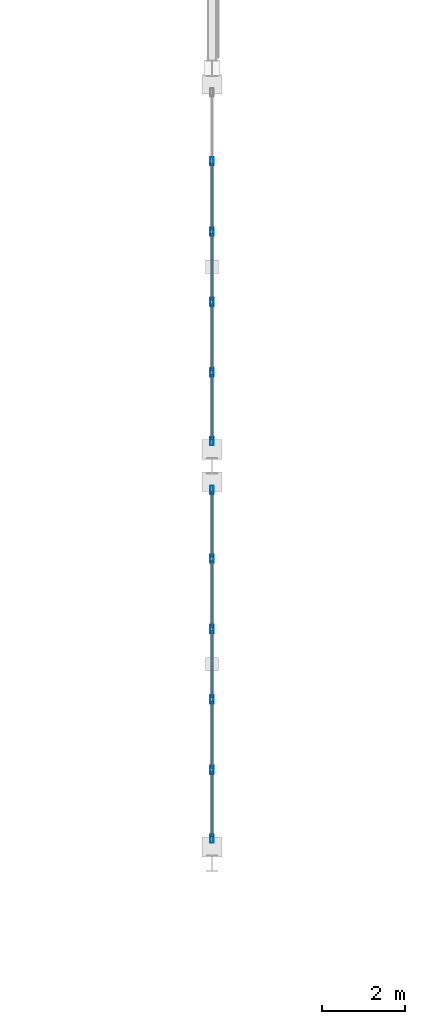
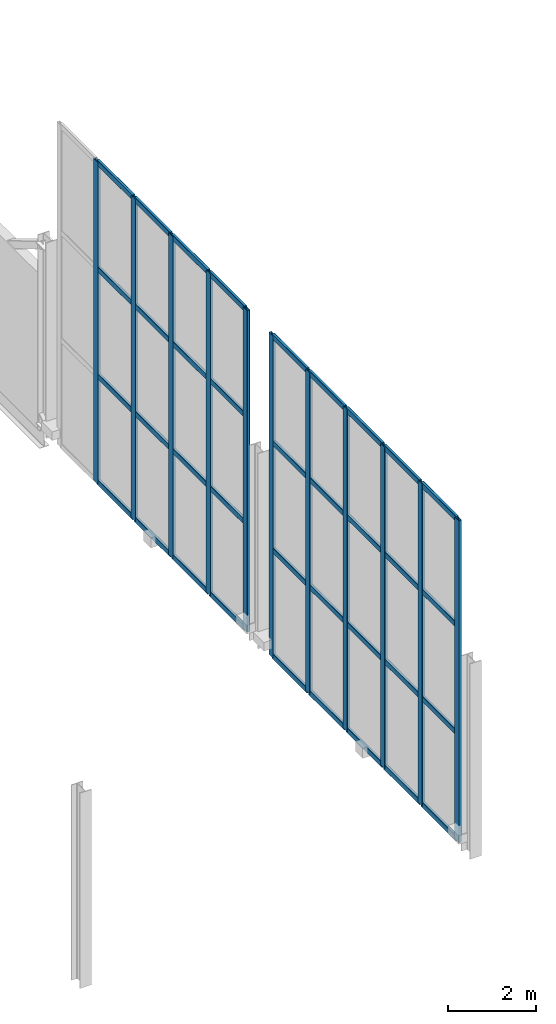
# One storey, part 81 of 175: 47 members, 2 elements without a shape of their own.
"""IFC4 building model written with IfcOpenShell, lengths in metres."""

from ifc_helpers import new_model, si_unit, direction, frame, origin, origin_2d, place, context, subcontext, project, spatial, hollow_rectangle, extrude, material, material_profile, profile_set, type_object, element, aggregate, save


model = new_model("IFC4")

# Units and contexts
model_context = context("Model", 3, precision=1e-05, world=origin(), true_north=direction((0.0, 1.0)))
body_context = subcontext(model_context, "Body", "Model", "MODEL_VIEW")
ifc_project = project(units=[si_unit("LENGTHUNIT", "METRE"), si_unit("AREAUNIT", "SQUARE_METRE"), si_unit("VOLUMEUNIT", "CUBIC_METRE"), si_unit("PLANEANGLEUNIT", "RADIAN"), si_unit("MASSUNIT", "GRAM", prefix="KILO")], contexts=[model_context])

# Site, building, storey
site_placement = place(None, origin())
site = spatial("IfcSite", under=ifc_project, at=site_placement, CompositionType="ELEMENT")
building_placement = place(site_placement, origin())
building = spatial("IfcBuilding", under=site, at=building_placement, Name="Brelvane Convention Centre", CompositionType="ELEMENT")
storey_placement = place(building_placement, frame((0.0, 0.0, 5.39990234375)))
storey = spatial("IfcBuildingStorey", under=building, at=storey_placement, Name="L01", CompositionType="ELEMENT", Elevation=5.39990234375)

# Curtain wall, members
ifc_material_1 = material(Name="Anodised Aluminium Alloy 6063-T6", Category="aluminium")
curtain_wall_type = type_object("IfcCurtainWallType", Name="Curtain Wall CW-BALL", PredefinedType="USERDEFINED", material=ifc_material_1)
curtain_wall_1_placement = place(storey_placement, origin())
curtain_wall_1 = element("IfcCurtainWall", 1, at=curtain_wall_1_placement, inside=storey, type_object=curtain_wall_type, Name="Curtain Wall CW-BALL L01-V3E-CW-L01-1", ObjectType="UNITISED", PredefinedType="USERDEFINED")
ifc_material_2 = material(Name="Anodised Aluminium Alloy 6063-T6", Category="aluminium")
ifc_material_profile_1 = material_profile(ifc_material_2, hollow_rectangle(XDim=0.074951171875, YDim=0.199951171875, WallThickness=0.0048828125, InnerFilletRadius=0.0048828125, OuterFilletRadius=0.010009765625, at=origin_2d()), Name="ALU-M 200x75x5.0")
ifc_profile_set_1 = profile_set([ifc_material_profile_1], Name="Anodised Aluminium Alloy 6063-T6")
member_type_1 = type_object("IfcMemberType", Name="Curtain Mullion CW-M2", PredefinedType="MULLION", material=ifc_profile_set_1)
member_1_placement = place(storey_placement, frame((224.39990234375, 100.1875, 0.0), z_axis=(0.0, 0.0, 1.0), x_axis=(-1.0, 0.0, 0.0)))
member_1 = element("IfcMember", 2, at=member_1_placement, type_object=member_type_1, Name="CW-BALL mullion 1", PredefinedType="MULLION", context=body_context, shape_type="SweptSolid", body=[
    extrude(hollow_rectangle(XDim=0.074951171875, YDim=0.199951171875, WallThickness=0.0048828125, InnerFilletRadius=0.0048828125, OuterFilletRadius=0.010009765625, at=origin_2d()), origin(), (0.0, 0.0, 1.0), 8.900146484375),
])
member_2_placement = place(storey_placement, frame((224.39990234375, 101.85009765625, 0.0), z_axis=(0.0, 0.0, 1.0), x_axis=(-1.0, 0.0, 0.0)))
member_2 = element("IfcMember", 3, at=member_2_placement, type_object=member_type_1, Name="CW-BALL mullion 2", PredefinedType="MULLION", context=body_context, shape_type="SweptSolid", body=[
    extrude(hollow_rectangle(XDim=0.074951171875, YDim=0.199951171875, WallThickness=0.0048828125, InnerFilletRadius=0.0048828125, OuterFilletRadius=0.010009765625, at=origin_2d()), origin(), (0.0, 0.0, 1.0), 8.900146484375),
])
member_3_placement = place(storey_placement, frame((224.39990234375, 103.550048828125, 0.0), z_axis=(0.0, 0.0, 1.0), x_axis=(-1.0, 0.0, 0.0)))
member_3 = element("IfcMember", 4, at=member_3_placement, type_object=member_type_1, Name="CW-BALL mullion 3", PredefinedType="MULLION", context=body_context, shape_type="SweptSolid", body=[
    extrude(hollow_rectangle(XDim=0.074951171875, YDim=0.199951171875, WallThickness=0.0048828125, InnerFilletRadius=0.0048828125, OuterFilletRadius=0.010009765625, at=origin_2d()), origin(), (0.0, 0.0, 1.0), 8.900146484375),
])
member_4_placement = place(storey_placement, frame((224.39990234375, 105.25, 0.0), z_axis=(0.0, 0.0, 1.0), x_axis=(-1.0, 0.0, 0.0)))
member_4 = element("IfcMember", 5, at=member_4_placement, type_object=member_type_1, Name="CW-BALL mullion 4", PredefinedType="MULLION", context=body_context, shape_type="SweptSolid", body=[
    extrude(hollow_rectangle(XDim=0.074951171875, YDim=0.199951171875, WallThickness=0.0048828125, InnerFilletRadius=0.0048828125, OuterFilletRadius=0.010009765625, at=origin_2d()), origin(), (0.0, 0.0, 1.0), 8.900146484375),
])
member_5_placement = place(storey_placement, frame((224.39990234375, 106.949951171875, 0.0), z_axis=(0.0, 0.0, 1.0), x_axis=(-1.0, 0.0, 0.0)))
member_5 = element("IfcMember", 6, at=member_5_placement, type_object=member_type_1, Name="CW-BALL mullion 5", PredefinedType="MULLION", context=body_context, shape_type="SweptSolid", body=[
    extrude(hollow_rectangle(XDim=0.074951171875, YDim=0.199951171875, WallThickness=0.0048828125, InnerFilletRadius=0.0048828125, OuterFilletRadius=0.010009765625, at=origin_2d()), origin(), (0.0, 0.0, 1.0), 8.900146484375),
])
member_6_placement = place(storey_placement, frame((224.39990234375, 108.612548828125, 0.0), z_axis=(0.0, 0.0, 1.0), x_axis=(-1.0, 0.0, 0.0)))
member_6 = element("IfcMember", 7, at=member_6_placement, type_object=member_type_1, Name="CW-BALL mullion 6", PredefinedType="MULLION", context=body_context, shape_type="SweptSolid", body=[
    extrude(hollow_rectangle(XDim=0.074951171875, YDim=0.199951171875, WallThickness=0.0048828125, InnerFilletRadius=0.0048828125, OuterFilletRadius=0.010009765625, at=origin_2d()), origin(), (0.0, 0.0, 1.0), 8.900146484375),
])

curtain_wall_2_placement = place(storey_placement, origin())
curtain_wall_2 = element("IfcCurtainWall", 8, at=curtain_wall_2_placement, inside=storey, type_object=curtain_wall_type, Name="Curtain Wall CW-BALL L01-V3E-CW-L01-2", ObjectType="UNITISED", PredefinedType="USERDEFINED")
member_7_placement = place(storey_placement, frame((224.39990234375, 109.78759765625, 0.0), z_axis=(0.0, 0.0, 1.0), x_axis=(-1.0, 0.0, 0.0)))
member_7 = element("IfcMember", 9, at=member_7_placement, type_object=member_type_1, Name="CW-BALL mullion 1", PredefinedType="MULLION", context=body_context, shape_type="SweptSolid", body=[
    extrude(hollow_rectangle(XDim=0.074951171875, YDim=0.199951171875, WallThickness=0.0048828125, InnerFilletRadius=0.0048828125, OuterFilletRadius=0.010009765625, at=origin_2d()), origin(), (0.0, 0.0, 1.0), 8.900146484375),
])
member_8_placement = place(storey_placement, frame((224.39990234375, 111.449951171875, 0.0), z_axis=(0.0, 0.0, 1.0), x_axis=(-1.0, 0.0, 0.0)))
member_8 = element("IfcMember", 10, at=member_8_placement, type_object=member_type_1, Name="CW-BALL mullion 2", PredefinedType="MULLION", context=body_context, shape_type="SweptSolid", body=[
    extrude(hollow_rectangle(XDim=0.074951171875, YDim=0.199951171875, WallThickness=0.0048828125, InnerFilletRadius=0.0048828125, OuterFilletRadius=0.010009765625, at=origin_2d()), origin(), (0.0, 0.0, 1.0), 8.900146484375),
])
member_9_placement = place(storey_placement, frame((224.39990234375, 113.14990234375, 0.0), z_axis=(0.0, 0.0, 1.0), x_axis=(-1.0, 0.0, 0.0)))
member_9 = element("IfcMember", 11, at=member_9_placement, type_object=member_type_1, Name="CW-BALL mullion 3", PredefinedType="MULLION", context=body_context, shape_type="SweptSolid", body=[
    extrude(hollow_rectangle(XDim=0.074951171875, YDim=0.199951171875, WallThickness=0.0048828125, InnerFilletRadius=0.0048828125, OuterFilletRadius=0.010009765625, at=origin_2d()), origin(), (0.0, 0.0, 1.0), 8.900146484375),
])
member_10_placement = place(storey_placement, frame((224.39990234375, 114.85009765625, 0.0), z_axis=(0.0, 0.0, 1.0), x_axis=(-1.0, 0.0, 0.0)))
member_10 = element("IfcMember", 12, at=member_10_placement, type_object=member_type_1, Name="CW-BALL mullion 4", PredefinedType="MULLION", context=body_context, shape_type="SweptSolid", body=[
    extrude(hollow_rectangle(XDim=0.074951171875, YDim=0.199951171875, WallThickness=0.0048828125, InnerFilletRadius=0.0048828125, OuterFilletRadius=0.010009765625, at=origin_2d()), origin(), (0.0, 0.0, 1.0), 8.900146484375),
])
member_11_placement = place(storey_placement, frame((224.39990234375, 116.550048828125, 0.0), z_axis=(0.0, 0.0, 1.0), x_axis=(-1.0, 0.0, 0.0)))
member_11 = element("IfcMember", 13, at=member_11_placement, type_object=member_type_1, Name="CW-BALL mullion 5", PredefinedType="MULLION", context=body_context, shape_type="SweptSolid", body=[
    extrude(hollow_rectangle(XDim=0.074951171875, YDim=0.199951171875, WallThickness=0.0048828125, InnerFilletRadius=0.0048828125, OuterFilletRadius=0.010009765625, at=origin_2d()), origin(), (0.0, 0.0, 1.0), 8.900146484375),
])

# Member
ifc_material_3 = material(Name="Anodised Aluminium Alloy 6063-T6", Category="aluminium")
ifc_material_profile_2 = material_profile(ifc_material_3, hollow_rectangle(XDim=0.070068359375, YDim=0.14990234375, WallThickness=0.00439453125, InnerFilletRadius=0.00439453125, OuterFilletRadius=0.009033203125, at=origin_2d()), Name="ALU-T 150x70x4.5")
ifc_profile_set_2 = profile_set([ifc_material_profile_2], Name="Anodised Aluminium Alloy 6063-T6")
member_type_2 = type_object("IfcMemberType", Name="Curtain Transom CW-T2", PredefinedType="USERDEFINED", material=ifc_profile_set_2)
member_12_placement = place(storey_placement, frame((224.39990234375, 100.22509765625, 0.03515625), z_axis=(0.0, 1.0, 0.0), x_axis=(-1.0, 0.0, 0.0)))
member_12 = element("IfcMember", 14, at=member_12_placement, type_object=member_type_2, Name="CW-BALL transom 1.1", ObjectType="TRANSOM", PredefinedType="USERDEFINED", context=body_context, shape_type="SweptSolid", body=[
    extrude(hollow_rectangle(XDim=0.070068359375, YDim=0.14990234375, WallThickness=0.00439453125, InnerFilletRadius=0.00439453125, OuterFilletRadius=0.009033203125, at=origin_2d()), origin(), (0.0, 0.0, 1.0), 1.58740234375),
])

member_13_placement = place(storey_placement, frame((224.39990234375, 100.22509765625, 2.966796875), z_axis=(0.0, 1.0, 0.0), x_axis=(-1.0, 0.0, 0.0)))
member_13 = element("IfcMember", 15, at=member_13_placement, type_object=member_type_2, Name="CW-BALL transom 1.2", ObjectType="TRANSOM", PredefinedType="USERDEFINED", context=body_context, shape_type="SweptSolid", body=[
    extrude(hollow_rectangle(XDim=0.070068359375, YDim=0.14990234375, WallThickness=0.00439453125, InnerFilletRadius=0.00439453125, OuterFilletRadius=0.009033203125, at=origin_2d()), origin(), (0.0, 0.0, 1.0), 1.58740234375),
])

member_14_placement = place(storey_placement, frame((224.39990234375, 100.22509765625, 5.933349609375), z_axis=(0.0, 1.0, 0.0), x_axis=(-1.0, 0.0, 0.0)))
member_14 = element("IfcMember", 16, at=member_14_placement, type_object=member_type_2, Name="CW-BALL transom 1.3", ObjectType="TRANSOM", PredefinedType="USERDEFINED", context=body_context, shape_type="SweptSolid", body=[
    extrude(hollow_rectangle(XDim=0.070068359375, YDim=0.14990234375, WallThickness=0.00439453125, InnerFilletRadius=0.00439453125, OuterFilletRadius=0.009033203125, at=origin_2d()), origin(), (0.0, 0.0, 1.0), 1.58740234375),
])

member_15_placement = place(storey_placement, frame((224.39990234375, 100.22509765625, 8.864990234375), z_axis=(0.0, 1.0, 0.0), x_axis=(-1.0, 0.0, 0.0)))
member_15 = element("IfcMember", 17, at=member_15_placement, type_object=member_type_2, Name="CW-BALL transom 1.4", ObjectType="TRANSOM", PredefinedType="USERDEFINED", context=body_context, shape_type="SweptSolid", body=[
    extrude(hollow_rectangle(XDim=0.070068359375, YDim=0.14990234375, WallThickness=0.00439453125, InnerFilletRadius=0.00439453125, OuterFilletRadius=0.009033203125, at=origin_2d()), origin(), (0.0, 0.0, 1.0), 1.58740234375),
])

member_16_placement = place(storey_placement, frame((224.39990234375, 101.887451171875, 0.03515625), z_axis=(0.0, 1.0, 0.0), x_axis=(-1.0, 0.0, 0.0)))
member_16 = element("IfcMember", 18, at=member_16_placement, type_object=member_type_2, Name="CW-BALL transom 2.1", ObjectType="TRANSOM", PredefinedType="USERDEFINED", context=body_context, shape_type="SweptSolid", body=[
    extrude(hollow_rectangle(XDim=0.070068359375, YDim=0.14990234375, WallThickness=0.00439453125, InnerFilletRadius=0.00439453125, OuterFilletRadius=0.009033203125, at=origin_2d()), origin(), (0.0, 0.0, 1.0), 1.625),
])

member_17_placement = place(storey_placement, frame((224.39990234375, 101.887451171875, 2.966796875), z_axis=(0.0, 1.0, 0.0), x_axis=(-1.0, 0.0, 0.0)))
member_17 = element("IfcMember", 19, at=member_17_placement, type_object=member_type_2, Name="CW-BALL transom 2.2", ObjectType="TRANSOM", PredefinedType="USERDEFINED", context=body_context, shape_type="SweptSolid", body=[
    extrude(hollow_rectangle(XDim=0.070068359375, YDim=0.14990234375, WallThickness=0.00439453125, InnerFilletRadius=0.00439453125, OuterFilletRadius=0.009033203125, at=origin_2d()), origin(), (0.0, 0.0, 1.0), 1.625),
])

member_18_placement = place(storey_placement, frame((224.39990234375, 101.887451171875, 5.933349609375), z_axis=(0.0, 1.0, 0.0), x_axis=(-1.0, 0.0, 0.0)))
member_18 = element("IfcMember", 20, at=member_18_placement, type_object=member_type_2, Name="CW-BALL transom 2.3", ObjectType="TRANSOM", PredefinedType="USERDEFINED", context=body_context, shape_type="SweptSolid", body=[
    extrude(hollow_rectangle(XDim=0.070068359375, YDim=0.14990234375, WallThickness=0.00439453125, InnerFilletRadius=0.00439453125, OuterFilletRadius=0.009033203125, at=origin_2d()), origin(), (0.0, 0.0, 1.0), 1.625),
])

member_19_placement = place(storey_placement, frame((224.39990234375, 101.887451171875, 8.864990234375), z_axis=(0.0, 1.0, 0.0), x_axis=(-1.0, 0.0, 0.0)))
member_19 = element("IfcMember", 21, at=member_19_placement, type_object=member_type_2, Name="CW-BALL transom 2.4", ObjectType="TRANSOM", PredefinedType="USERDEFINED", context=body_context, shape_type="SweptSolid", body=[
    extrude(hollow_rectangle(XDim=0.070068359375, YDim=0.14990234375, WallThickness=0.00439453125, InnerFilletRadius=0.00439453125, OuterFilletRadius=0.009033203125, at=origin_2d()), origin(), (0.0, 0.0, 1.0), 1.625),
])

member_20_placement = place(storey_placement, frame((224.39990234375, 103.58740234375, 0.03515625), z_axis=(0.0, 1.0, 0.0), x_axis=(-1.0, 0.0, 0.0)))
member_20 = element("IfcMember", 22, at=member_20_placement, type_object=member_type_2, Name="CW-BALL transom 3.1", ObjectType="TRANSOM", PredefinedType="USERDEFINED", context=body_context, shape_type="SweptSolid", body=[
    extrude(hollow_rectangle(XDim=0.070068359375, YDim=0.14990234375, WallThickness=0.00439453125, InnerFilletRadius=0.00439453125, OuterFilletRadius=0.009033203125, at=origin_2d()), origin(), (0.0, 0.0, 1.0), 1.625),
])

member_21_placement = place(storey_placement, frame((224.39990234375, 103.58740234375, 2.966796875), z_axis=(0.0, 1.0, 0.0), x_axis=(-1.0, 0.0, 0.0)))
member_21 = element("IfcMember", 23, at=member_21_placement, type_object=member_type_2, Name="CW-BALL transom 3.2", ObjectType="TRANSOM", PredefinedType="USERDEFINED", context=body_context, shape_type="SweptSolid", body=[
    extrude(hollow_rectangle(XDim=0.070068359375, YDim=0.14990234375, WallThickness=0.00439453125, InnerFilletRadius=0.00439453125, OuterFilletRadius=0.009033203125, at=origin_2d()), origin(), (0.0, 0.0, 1.0), 1.625),
])

member_22_placement = place(storey_placement, frame((224.39990234375, 103.58740234375, 5.933349609375), z_axis=(0.0, 1.0, 0.0), x_axis=(-1.0, 0.0, 0.0)))
member_22 = element("IfcMember", 24, at=member_22_placement, type_object=member_type_2, Name="CW-BALL transom 3.3", ObjectType="TRANSOM", PredefinedType="USERDEFINED", context=body_context, shape_type="SweptSolid", body=[
    extrude(hollow_rectangle(XDim=0.070068359375, YDim=0.14990234375, WallThickness=0.00439453125, InnerFilletRadius=0.00439453125, OuterFilletRadius=0.009033203125, at=origin_2d()), origin(), (0.0, 0.0, 1.0), 1.625),
])

member_23_placement = place(storey_placement, frame((224.39990234375, 103.58740234375, 8.864990234375), z_axis=(0.0, 1.0, 0.0), x_axis=(-1.0, 0.0, 0.0)))
member_23 = element("IfcMember", 25, at=member_23_placement, type_object=member_type_2, Name="CW-BALL transom 3.4", ObjectType="TRANSOM", PredefinedType="USERDEFINED", context=body_context, shape_type="SweptSolid", body=[
    extrude(hollow_rectangle(XDim=0.070068359375, YDim=0.14990234375, WallThickness=0.00439453125, InnerFilletRadius=0.00439453125, OuterFilletRadius=0.009033203125, at=origin_2d()), origin(), (0.0, 0.0, 1.0), 1.625),
])

member_24_placement = place(storey_placement, frame((224.39990234375, 105.28759765625, 0.03515625), z_axis=(0.0, 1.0, 0.0), x_axis=(-1.0, 0.0, 0.0)))
member_24 = element("IfcMember", 26, at=member_24_placement, type_object=member_type_2, Name="CW-BALL transom 4.1", ObjectType="TRANSOM", PredefinedType="USERDEFINED", context=body_context, shape_type="SweptSolid", body=[
    extrude(hollow_rectangle(XDim=0.070068359375, YDim=0.14990234375, WallThickness=0.00439453125, InnerFilletRadius=0.00439453125, OuterFilletRadius=0.009033203125, at=origin_2d()), origin(), (0.0, 0.0, 1.0), 1.625),
])

member_25_placement = place(storey_placement, frame((224.39990234375, 105.28759765625, 2.966796875), z_axis=(0.0, 1.0, 0.0), x_axis=(-1.0, 0.0, 0.0)))
member_25 = element("IfcMember", 27, at=member_25_placement, type_object=member_type_2, Name="CW-BALL transom 4.2", ObjectType="TRANSOM", PredefinedType="USERDEFINED", context=body_context, shape_type="SweptSolid", body=[
    extrude(hollow_rectangle(XDim=0.070068359375, YDim=0.14990234375, WallThickness=0.00439453125, InnerFilletRadius=0.00439453125, OuterFilletRadius=0.009033203125, at=origin_2d()), origin(), (0.0, 0.0, 1.0), 1.625),
])

member_26_placement = place(storey_placement, frame((224.39990234375, 105.28759765625, 5.933349609375), z_axis=(0.0, 1.0, 0.0), x_axis=(-1.0, 0.0, 0.0)))
member_26 = element("IfcMember", 28, at=member_26_placement, type_object=member_type_2, Name="CW-BALL transom 4.3", ObjectType="TRANSOM", PredefinedType="USERDEFINED", context=body_context, shape_type="SweptSolid", body=[
    extrude(hollow_rectangle(XDim=0.070068359375, YDim=0.14990234375, WallThickness=0.00439453125, InnerFilletRadius=0.00439453125, OuterFilletRadius=0.009033203125, at=origin_2d()), origin(), (0.0, 0.0, 1.0), 1.625),
])

member_27_placement = place(storey_placement, frame((224.39990234375, 105.28759765625, 8.864990234375), z_axis=(0.0, 1.0, 0.0), x_axis=(-1.0, 0.0, 0.0)))
member_27 = element("IfcMember", 29, at=member_27_placement, type_object=member_type_2, Name="CW-BALL transom 4.4", ObjectType="TRANSOM", PredefinedType="USERDEFINED", context=body_context, shape_type="SweptSolid", body=[
    extrude(hollow_rectangle(XDim=0.070068359375, YDim=0.14990234375, WallThickness=0.00439453125, InnerFilletRadius=0.00439453125, OuterFilletRadius=0.009033203125, at=origin_2d()), origin(), (0.0, 0.0, 1.0), 1.625),
])

member_28_placement = place(storey_placement, frame((224.39990234375, 106.987548828125, 0.03515625), z_axis=(0.0, 1.0, 0.0), x_axis=(-1.0, 0.0, 0.0)))
member_28 = element("IfcMember", 30, at=member_28_placement, type_object=member_type_2, Name="CW-BALL transom 5.1", ObjectType="TRANSOM", PredefinedType="USERDEFINED", context=body_context, shape_type="SweptSolid", body=[
    extrude(hollow_rectangle(XDim=0.070068359375, YDim=0.14990234375, WallThickness=0.00439453125, InnerFilletRadius=0.00439453125, OuterFilletRadius=0.009033203125, at=origin_2d()), origin(), (0.0, 0.0, 1.0), 1.58740234375),
])

member_29_placement = place(storey_placement, frame((224.39990234375, 106.987548828125, 2.966796875), z_axis=(0.0, 1.0, 0.0), x_axis=(-1.0, 0.0, 0.0)))
member_29 = element("IfcMember", 31, at=member_29_placement, type_object=member_type_2, Name="CW-BALL transom 5.2", ObjectType="TRANSOM", PredefinedType="USERDEFINED", context=body_context, shape_type="SweptSolid", body=[
    extrude(hollow_rectangle(XDim=0.070068359375, YDim=0.14990234375, WallThickness=0.00439453125, InnerFilletRadius=0.00439453125, OuterFilletRadius=0.009033203125, at=origin_2d()), origin(), (0.0, 0.0, 1.0), 1.58740234375),
])

member_30_placement = place(storey_placement, frame((224.39990234375, 106.987548828125, 5.933349609375), z_axis=(0.0, 1.0, 0.0), x_axis=(-1.0, 0.0, 0.0)))
member_30 = element("IfcMember", 32, at=member_30_placement, type_object=member_type_2, Name="CW-BALL transom 5.3", ObjectType="TRANSOM", PredefinedType="USERDEFINED", context=body_context, shape_type="SweptSolid", body=[
    extrude(hollow_rectangle(XDim=0.070068359375, YDim=0.14990234375, WallThickness=0.00439453125, InnerFilletRadius=0.00439453125, OuterFilletRadius=0.009033203125, at=origin_2d()), origin(), (0.0, 0.0, 1.0), 1.58740234375),
])

member_31_placement = place(storey_placement, frame((224.39990234375, 106.987548828125, 8.864990234375), z_axis=(0.0, 1.0, 0.0), x_axis=(-1.0, 0.0, 0.0)))
member_31 = element("IfcMember", 33, at=member_31_placement, type_object=member_type_2, Name="CW-BALL transom 5.4", ObjectType="TRANSOM", PredefinedType="USERDEFINED", context=body_context, shape_type="SweptSolid", body=[
    extrude(hollow_rectangle(XDim=0.070068359375, YDim=0.14990234375, WallThickness=0.00439453125, InnerFilletRadius=0.00439453125, OuterFilletRadius=0.009033203125, at=origin_2d()), origin(), (0.0, 0.0, 1.0), 1.58740234375),
])

aggregate(curtain_wall_1, [member_1, member_2, member_3, member_4, member_5, member_6, member_12, member_13, member_14, member_15, member_16, member_17, member_18, member_19, member_20, member_21, member_22, member_23, member_24, member_25, member_26, member_27, member_28, member_29, member_30, member_31])

member_32_placement = place(storey_placement, frame((224.39990234375, 109.824951171875, 0.03515625), z_axis=(0.0, 1.0, 0.0), x_axis=(-1.0, 0.0, 0.0)))
member_32 = element("IfcMember", 34, at=member_32_placement, type_object=member_type_2, Name="CW-BALL transom 1.1", ObjectType="TRANSOM", PredefinedType="USERDEFINED", context=body_context, shape_type="SweptSolid", body=[
    extrude(hollow_rectangle(XDim=0.070068359375, YDim=0.14990234375, WallThickness=0.00439453125, InnerFilletRadius=0.00439453125, OuterFilletRadius=0.009033203125, at=origin_2d()), origin(), (0.0, 0.0, 1.0), 1.587646484375),
])

member_33_placement = place(storey_placement, frame((224.39990234375, 109.824951171875, 2.966796875), z_axis=(0.0, 1.0, 0.0), x_axis=(-1.0, 0.0, 0.0)))
member_33 = element("IfcMember", 35, at=member_33_placement, type_object=member_type_2, Name="CW-BALL transom 1.2", ObjectType="TRANSOM", PredefinedType="USERDEFINED", context=body_context, shape_type="SweptSolid", body=[
    extrude(hollow_rectangle(XDim=0.070068359375, YDim=0.14990234375, WallThickness=0.00439453125, InnerFilletRadius=0.00439453125, OuterFilletRadius=0.009033203125, at=origin_2d()), origin(), (0.0, 0.0, 1.0), 1.587646484375),
])

member_34_placement = place(storey_placement, frame((224.39990234375, 109.824951171875, 5.933349609375), z_axis=(0.0, 1.0, 0.0), x_axis=(-1.0, 0.0, 0.0)))
member_34 = element("IfcMember", 36, at=member_34_placement, type_object=member_type_2, Name="CW-BALL transom 1.3", ObjectType="TRANSOM", PredefinedType="USERDEFINED", context=body_context, shape_type="SweptSolid", body=[
    extrude(hollow_rectangle(XDim=0.070068359375, YDim=0.14990234375, WallThickness=0.00439453125, InnerFilletRadius=0.00439453125, OuterFilletRadius=0.009033203125, at=origin_2d()), origin(), (0.0, 0.0, 1.0), 1.587646484375),
])

member_35_placement = place(storey_placement, frame((224.39990234375, 109.824951171875, 8.864990234375), z_axis=(0.0, 1.0, 0.0), x_axis=(-1.0, 0.0, 0.0)))
member_35 = element("IfcMember", 37, at=member_35_placement, type_object=member_type_2, Name="CW-BALL transom 1.4", ObjectType="TRANSOM", PredefinedType="USERDEFINED", context=body_context, shape_type="SweptSolid", body=[
    extrude(hollow_rectangle(XDim=0.070068359375, YDim=0.14990234375, WallThickness=0.00439453125, InnerFilletRadius=0.00439453125, OuterFilletRadius=0.009033203125, at=origin_2d()), origin(), (0.0, 0.0, 1.0), 1.587646484375),
])

member_36_placement = place(storey_placement, frame((224.39990234375, 111.487548828125, 0.03515625), z_axis=(0.0, 1.0, 0.0), x_axis=(-1.0, 0.0, 0.0)))
member_36 = element("IfcMember", 38, at=member_36_placement, type_object=member_type_2, Name="CW-BALL transom 2.1", ObjectType="TRANSOM", PredefinedType="USERDEFINED", context=body_context, shape_type="SweptSolid", body=[
    extrude(hollow_rectangle(XDim=0.070068359375, YDim=0.14990234375, WallThickness=0.00439453125, InnerFilletRadius=0.00439453125, OuterFilletRadius=0.009033203125, at=origin_2d()), origin(), (0.0, 0.0, 1.0), 1.625),
])

member_37_placement = place(storey_placement, frame((224.39990234375, 111.487548828125, 2.966796875), z_axis=(0.0, 1.0, 0.0), x_axis=(-1.0, 0.0, 0.0)))
member_37 = element("IfcMember", 39, at=member_37_placement, type_object=member_type_2, Name="CW-BALL transom 2.2", ObjectType="TRANSOM", PredefinedType="USERDEFINED", context=body_context, shape_type="SweptSolid", body=[
    extrude(hollow_rectangle(XDim=0.070068359375, YDim=0.14990234375, WallThickness=0.00439453125, InnerFilletRadius=0.00439453125, OuterFilletRadius=0.009033203125, at=origin_2d()), origin(), (0.0, 0.0, 1.0), 1.625),
])

member_38_placement = place(storey_placement, frame((224.39990234375, 111.487548828125, 5.933349609375), z_axis=(0.0, 1.0, 0.0), x_axis=(-1.0, 0.0, 0.0)))
member_38 = element("IfcMember", 40, at=member_38_placement, type_object=member_type_2, Name="CW-BALL transom 2.3", ObjectType="TRANSOM", PredefinedType="USERDEFINED", context=body_context, shape_type="SweptSolid", body=[
    extrude(hollow_rectangle(XDim=0.070068359375, YDim=0.14990234375, WallThickness=0.00439453125, InnerFilletRadius=0.00439453125, OuterFilletRadius=0.009033203125, at=origin_2d()), origin(), (0.0, 0.0, 1.0), 1.625),
])

member_39_placement = place(storey_placement, frame((224.39990234375, 111.487548828125, 8.864990234375), z_axis=(0.0, 1.0, 0.0), x_axis=(-1.0, 0.0, 0.0)))
member_39 = element("IfcMember", 41, at=member_39_placement, type_object=member_type_2, Name="CW-BALL transom 2.4", ObjectType="TRANSOM", PredefinedType="USERDEFINED", context=body_context, shape_type="SweptSolid", body=[
    extrude(hollow_rectangle(XDim=0.070068359375, YDim=0.14990234375, WallThickness=0.00439453125, InnerFilletRadius=0.00439453125, OuterFilletRadius=0.009033203125, at=origin_2d()), origin(), (0.0, 0.0, 1.0), 1.625),
])

member_40_placement = place(storey_placement, frame((224.39990234375, 113.1875, 0.03515625), z_axis=(0.0, 1.0, 0.0), x_axis=(-1.0, 0.0, 0.0)))
member_40 = element("IfcMember", 42, at=member_40_placement, type_object=member_type_2, Name="CW-BALL transom 3.1", ObjectType="TRANSOM", PredefinedType="USERDEFINED", context=body_context, shape_type="SweptSolid", body=[
    extrude(hollow_rectangle(XDim=0.070068359375, YDim=0.14990234375, WallThickness=0.00439453125, InnerFilletRadius=0.00439453125, OuterFilletRadius=0.009033203125, at=origin_2d()), origin(), (0.0, 0.0, 1.0), 1.625),
])

member_41_placement = place(storey_placement, frame((224.39990234375, 113.1875, 2.966796875), z_axis=(0.0, 1.0, 0.0), x_axis=(-1.0, 0.0, 0.0)))
member_41 = element("IfcMember", 43, at=member_41_placement, type_object=member_type_2, Name="CW-BALL transom 3.2", ObjectType="TRANSOM", PredefinedType="USERDEFINED", context=body_context, shape_type="SweptSolid", body=[
    extrude(hollow_rectangle(XDim=0.070068359375, YDim=0.14990234375, WallThickness=0.00439453125, InnerFilletRadius=0.00439453125, OuterFilletRadius=0.009033203125, at=origin_2d()), origin(), (0.0, 0.0, 1.0), 1.625),
])

member_42_placement = place(storey_placement, frame((224.39990234375, 113.1875, 5.933349609375), z_axis=(0.0, 1.0, 0.0), x_axis=(-1.0, 0.0, 0.0)))
member_42 = element("IfcMember", 44, at=member_42_placement, type_object=member_type_2, Name="CW-BALL transom 3.3", ObjectType="TRANSOM", PredefinedType="USERDEFINED", context=body_context, shape_type="SweptSolid", body=[
    extrude(hollow_rectangle(XDim=0.070068359375, YDim=0.14990234375, WallThickness=0.00439453125, InnerFilletRadius=0.00439453125, OuterFilletRadius=0.009033203125, at=origin_2d()), origin(), (0.0, 0.0, 1.0), 1.625),
])

member_43_placement = place(storey_placement, frame((224.39990234375, 113.1875, 8.864990234375), z_axis=(0.0, 1.0, 0.0), x_axis=(-1.0, 0.0, 0.0)))
member_43 = element("IfcMember", 45, at=member_43_placement, type_object=member_type_2, Name="CW-BALL transom 3.4", ObjectType="TRANSOM", PredefinedType="USERDEFINED", context=body_context, shape_type="SweptSolid", body=[
    extrude(hollow_rectangle(XDim=0.070068359375, YDim=0.14990234375, WallThickness=0.00439453125, InnerFilletRadius=0.00439453125, OuterFilletRadius=0.009033203125, at=origin_2d()), origin(), (0.0, 0.0, 1.0), 1.625),
])

member_44_placement = place(storey_placement, frame((224.39990234375, 114.887451171875, 0.03515625), z_axis=(0.0, 1.0, 0.0), x_axis=(-1.0, 0.0, 0.0)))
member_44 = element("IfcMember", 46, at=member_44_placement, type_object=member_type_2, Name="CW-BALL transom 4.1", ObjectType="TRANSOM", PredefinedType="USERDEFINED", context=body_context, shape_type="SweptSolid", body=[
    extrude(hollow_rectangle(XDim=0.070068359375, YDim=0.14990234375, WallThickness=0.00439453125, InnerFilletRadius=0.00439453125, OuterFilletRadius=0.009033203125, at=origin_2d()), origin(), (0.0, 0.0, 1.0), 1.625),
])

member_45_placement = place(storey_placement, frame((224.39990234375, 114.887451171875, 2.966796875), z_axis=(0.0, 1.0, 0.0), x_axis=(-1.0, 0.0, 0.0)))
member_45 = element("IfcMember", 47, at=member_45_placement, type_object=member_type_2, Name="CW-BALL transom 4.2", ObjectType="TRANSOM", PredefinedType="USERDEFINED", context=body_context, shape_type="SweptSolid", body=[
    extrude(hollow_rectangle(XDim=0.070068359375, YDim=0.14990234375, WallThickness=0.00439453125, InnerFilletRadius=0.00439453125, OuterFilletRadius=0.009033203125, at=origin_2d()), origin(), (0.0, 0.0, 1.0), 1.625),
])

member_46_placement = place(storey_placement, frame((224.39990234375, 114.887451171875, 5.933349609375), z_axis=(0.0, 1.0, 0.0), x_axis=(-1.0, 0.0, 0.0)))
member_46 = element("IfcMember", 48, at=member_46_placement, type_object=member_type_2, Name="CW-BALL transom 4.3", ObjectType="TRANSOM", PredefinedType="USERDEFINED", context=body_context, shape_type="SweptSolid", body=[
    extrude(hollow_rectangle(XDim=0.070068359375, YDim=0.14990234375, WallThickness=0.00439453125, InnerFilletRadius=0.00439453125, OuterFilletRadius=0.009033203125, at=origin_2d()), origin(), (0.0, 0.0, 1.0), 1.625),
])

member_47_placement = place(storey_placement, frame((224.39990234375, 114.887451171875, 8.864990234375), z_axis=(0.0, 1.0, 0.0), x_axis=(-1.0, 0.0, 0.0)))
member_47 = element("IfcMember", 49, at=member_47_placement, type_object=member_type_2, Name="CW-BALL transom 4.4", ObjectType="TRANSOM", PredefinedType="USERDEFINED", context=body_context, shape_type="SweptSolid", body=[
    extrude(hollow_rectangle(XDim=0.070068359375, YDim=0.14990234375, WallThickness=0.00439453125, InnerFilletRadius=0.00439453125, OuterFilletRadius=0.009033203125, at=origin_2d()), origin(), (0.0, 0.0, 1.0), 1.625),
])

aggregate(curtain_wall_2, [member_7, member_8, member_9, member_10, member_11, member_32, member_33, member_34, member_35, member_36, member_37, member_38, member_39, member_40, member_41, member_42, member_43, member_44, member_45, member_46, member_47])

save(model, "model.ifc")
